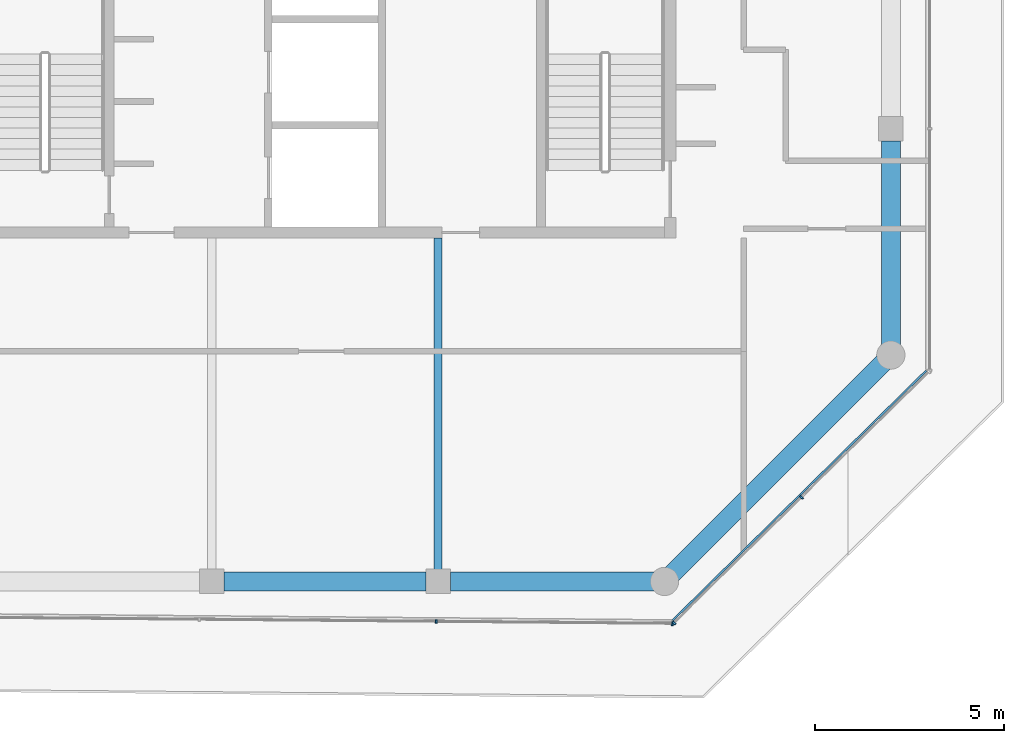
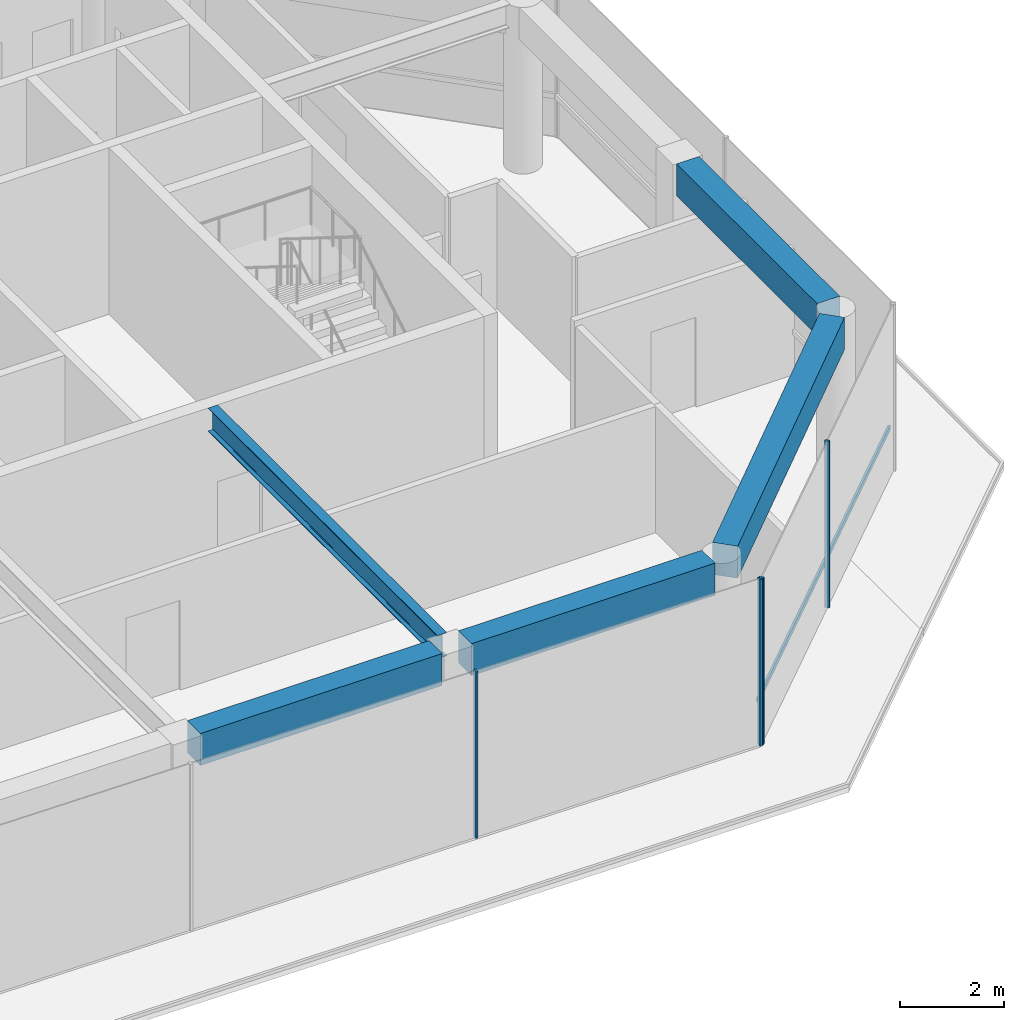
# One storey, part 5 of 17: 5 beams, 5 members, 2 elements without a shape of their own.
"""IFC4 building model written with IfcOpenShell, lengths in metres."""

from ifc_helpers import new_model, si_unit, direction, frame, origin, origin_2d, place, context, subcontext, project, spatial, rectangle, i_section, extrude, material, layer, layer_set, material_profile, profile_set, type_object, element, aggregate, save


model = new_model("IFC4")

# Units and contexts
model_context = context("Model", 3, precision=1e-05, world=origin(), true_north=direction((0.0, 1.0)))
body_context = subcontext(model_context, "Body", "Model", "MODEL_VIEW")
ifc_project = project(units=[si_unit("LENGTHUNIT", "METRE"), si_unit("AREAUNIT", "SQUARE_METRE"), si_unit("VOLUMEUNIT", "CUBIC_METRE"), si_unit("PLANEANGLEUNIT", "RADIAN"), si_unit("MASSUNIT", "GRAM", prefix="KILO")], contexts=[model_context])

# Site, building, storey
site_placement = place(None, origin())
site = spatial("IfcSite", under=ifc_project, at=site_placement, CompositionType="ELEMENT")
building_placement = place(site_placement, origin())
building = spatial("IfcBuilding", under=site, at=building_placement, Name="Welwitschia Terrace Campus", CompositionType="ELEMENT")
storey_placement = place(building_placement, frame((0.0, 0.0, 335.60009765625)))
storey = spatial("IfcBuildingStorey", under=building, at=storey_placement, Name="L75", CompositionType="ELEMENT", Elevation=335.60009765625)

# Beam
ifc_material_1 = material(Name="Steel S355", Category="steel")
ifc_material_profile_1 = material_profile(ifc_material_1, i_section(OverallWidth=0.2099609375, OverallDepth=0.550048828125, WebThickness=0.010986328125, FlangeThickness=0.01708984375, FilletRadius=0.02392578125, at=origin_2d()))
ifc_profile_set_1 = profile_set([ifc_material_profile_1], Name="Steel S355")
beam_type_1 = type_object("IfcBeamType", Name="Interior girder IPE 550", PredefinedType="BEAM", material=ifc_profile_set_1)
beam_1_placement = place(storey_placement, frame((18.0, -3.6845703125, 3.625), z_axis=(0.0, 1.0, 0.0), x_axis=(-1.0, 0.0, 0.0)))
element("IfcBeam", 1, at=beam_1_placement, inside=storey, type_object=beam_type_1, Name="Girder GB7", PredefinedType="BEAM", context=body_context, shape_type="SweptSolid", body=[
    extrude(i_section(OverallWidth=0.2099609375, OverallDepth=0.550048828125, WebThickness=0.010986328125, FlangeThickness=0.01708984375, FilletRadius=0.02392578125, at=origin_2d()), origin(), (0.0, 0.0, 1.0), 8.78369140625),
])

# Curtain wall, members
ifc_material_2 = material(Name="Bronze anodised aluminium", Category="aluminium")
ifc_layer = layer(ifc_material_2, 0.10009765625)
ifc_layer_set = layer_set([ifc_layer], Name="Bronze anodised aluminium")
curtain_wall_type = type_object("IfcCurtainWallType", Name="Curtain wall CW5 crown 6000", PredefinedType="NOTDEFINED", material=ifc_layer_set)
curtain_wall_1_placement = place(storey_placement, origin())
curtain_wall_1 = element("IfcCurtainWall", 2, at=curtain_wall_1_placement, inside=storey, type_object=curtain_wall_type, Name="CW L75.4.0", PredefinedType="NOTDEFINED")
ifc_material_3 = material(Name="Bronze anodised aluminium", Category="aluminium")
ifc_material_profile_2 = material_profile(ifc_material_3, rectangle(XDim=0.10009765625, YDim=0.050048828125, at=origin_2d()))
ifc_profile_set_2 = profile_set([ifc_material_profile_2], Name="Bronze anodised aluminium")
member_type_1 = type_object("IfcMemberType", Name="Mullion 50x100", PredefinedType="MULLION", material=ifc_profile_set_2)
member_1_placement = place(storey_placement, frame((17.950927734375, -5.0634765625, 0.0), z_axis=(0.0, 0.0, 1.0), x_axis=(0.008726535498, 0.999961923064, 0.0)))
member_1 = element("IfcMember", 3, at=member_1_placement, type_object=member_type_1, Name="Mullion L75.4.0.2", PredefinedType="MULLION", context=body_context, shape_type="SweptSolid", body=[
    extrude(rectangle(XDim=0.10009765625, YDim=0.050048828125, at=origin_2d()), origin(), (0.0, 0.0, 1.0), 3.89990234375),
])
member_2_placement = place(storey_placement, frame((24.210205078125, -5.1181640625, 0.0), z_axis=(0.0, 0.0, 1.0), x_axis=(0.008726535498, 0.999961923064, 0.0)))
member_2 = element("IfcMember", 4, at=member_2_placement, type_object=member_type_1, Name="Mullion L75.4.0.3", PredefinedType="MULLION", context=body_context, shape_type="SweptSolid", body=[
    extrude(rectangle(XDim=0.10009765625, YDim=0.050048828125, at=origin_2d()), origin(), (0.0, 0.0, 1.0), 3.89990234375),
])
aggregate(curtain_wall_1, [member_1, member_2])

curtain_wall_2_placement = place(storey_placement, origin())
curtain_wall_2 = element("IfcCurtainWall", 5, at=curtain_wall_2_placement, inside=storey, type_object=curtain_wall_type, Name="CW L75.5.0", PredefinedType="NOTDEFINED")
member_3_placement = place(storey_placement, frame((24.2529296875, -5.100830078125, 0.0), z_axis=(0.0, 0.0, 1.0), x_axis=(-0.701671880518, 0.712500226028, 0.0)))
member_3 = element("IfcMember", 6, at=member_3_placement, type_object=member_type_1, Name="Mullion L75.5.0.0", PredefinedType="MULLION", context=body_context, shape_type="SweptSolid", body=[
    extrude(rectangle(XDim=0.10009765625, YDim=0.050048828125, at=origin_2d()), origin(), (0.0, 0.0, 1.0), 3.89990234375),
])
member_4_placement = place(storey_placement, frame((27.632568359375, -1.772705078125, 0.0), z_axis=(0.0, 0.0, 1.0), x_axis=(-0.701671880518, 0.712500226028, 0.0)))
member_4 = element("IfcMember", 7, at=member_4_placement, type_object=member_type_1, Name="Mullion L75.5.0.1", PredefinedType="MULLION", context=body_context, shape_type="SweptSolid", body=[
    extrude(rectangle(XDim=0.10009765625, YDim=0.050048828125, at=origin_2d()), origin(), (0.0, 0.0, 1.0), 3.89990234375),
])

# Beams
ifc_material_4 = material(Name="Concrete C40/50", Category="concrete")
ifc_material_profile_3 = material_profile(ifc_material_4, rectangle(XDim=0.5, YDim=0.75, at=origin_2d()))
ifc_profile_set_3 = profile_set([ifc_material_profile_3], Name="Concrete C40/50")
beam_type_2 = type_object("IfcBeamType", Name="Ring spandrel 500x750", PredefinedType="SPANDREL", material=ifc_profile_set_3)
beam_2_placement = place(storey_placement, frame((12.325439453125, -4.0, 3.52490234375), z_axis=(1.0, 0.0, 0.0), x_axis=(0.0, 1.0, 0.0)))
element("IfcBeam", 8, at=beam_2_placement, inside=storey, type_object=beam_type_2, Name="Spandrel SP5", PredefinedType="SPANDREL", context=body_context, shape_type="SweptSolid", body=[
    extrude(rectangle(XDim=0.5, YDim=0.75, at=origin_2d()), origin(), (0.0, 0.0, 1.0), 5.34912109375),
])
beam_3_placement = place(storey_placement, frame((18.325439453125, -4.0, 3.52490234375), z_axis=(1.0, 0.0, 0.0), x_axis=(0.0, 1.0, 0.0)))
element("IfcBeam", 9, at=beam_3_placement, inside=storey, type_object=beam_type_2, Name="Spandrel SP5", PredefinedType="SPANDREL", context=body_context, shape_type="SweptSolid", body=[
    extrude(rectangle(XDim=0.5, YDim=0.75, at=origin_2d()), origin(), (0.0, 0.0, 1.0), 5.39404296875),
])
beam_4_placement = place(storey_placement, frame((24.1982421875, -3.8017578125, 3.52490234375), z_axis=(0.707106781187, 0.707106781187, 0.0), x_axis=(-0.707106781187, 0.707106781187, 0.0)))
element("IfcBeam", 10, at=beam_4_placement, inside=storey, type_object=beam_type_2, Name="Spandrel SP5", PredefinedType="SPANDREL", context=body_context, shape_type="SweptSolid", body=[
    extrude(rectangle(XDim=0.5, YDim=0.75, at=origin_2d()), origin(), (0.0, 0.0, 1.0), 7.924560546875),
])
beam_5_placement = place(storey_placement, frame((30.0, 2.280517578125, 3.52490234375), z_axis=(0.0, 1.0, 0.0), x_axis=(-1.0, 0.0, 0.0)))
element("IfcBeam", 11, at=beam_5_placement, inside=storey, type_object=beam_type_2, Name="Spandrel SP5", PredefinedType="SPANDREL", context=body_context, shape_type="SweptSolid", body=[
    extrude(rectangle(XDim=0.5, YDim=0.75, at=origin_2d()), origin(), (0.0, 0.0, 1.0), 5.39404296875),
])

# Member
ifc_material_5 = material(Name="Bronze anodised aluminium", Category="aluminium")
ifc_material_profile_4 = material_profile(ifc_material_5, rectangle(XDim=0.050048828125, YDim=0.1201171875, at=origin_2d()))
ifc_profile_set_4 = profile_set([ifc_material_profile_4], Name="Bronze anodised aluminium")
member_type_2 = type_object("IfcMemberType", Name="Transom 50x120", PredefinedType="USERDEFINED", material=ifc_profile_set_4)
member_5_placement = place(storey_placement, frame((24.218017578125, -5.02978515625, 1.0), z_axis=(0.712506125131, 0.701665890329, 0.0), x_axis=(-0.701665890329, 0.712506125131, 0.0)))
member_5 = element("IfcMember", 12, at=member_5_placement, type_object=member_type_2, Name="Transom L75.5.0", ObjectType="TRANSOM", PredefinedType="USERDEFINED", context=body_context, shape_type="SweptSolid", body=[
    extrude(rectangle(XDim=0.050048828125, YDim=0.1201171875, at=origin_2d()), origin(), (0.0, 0.0, 1.0), 9.4365234375),
])

aggregate(curtain_wall_2, [member_3, member_4, member_5])

save(model, "model.ifc")
